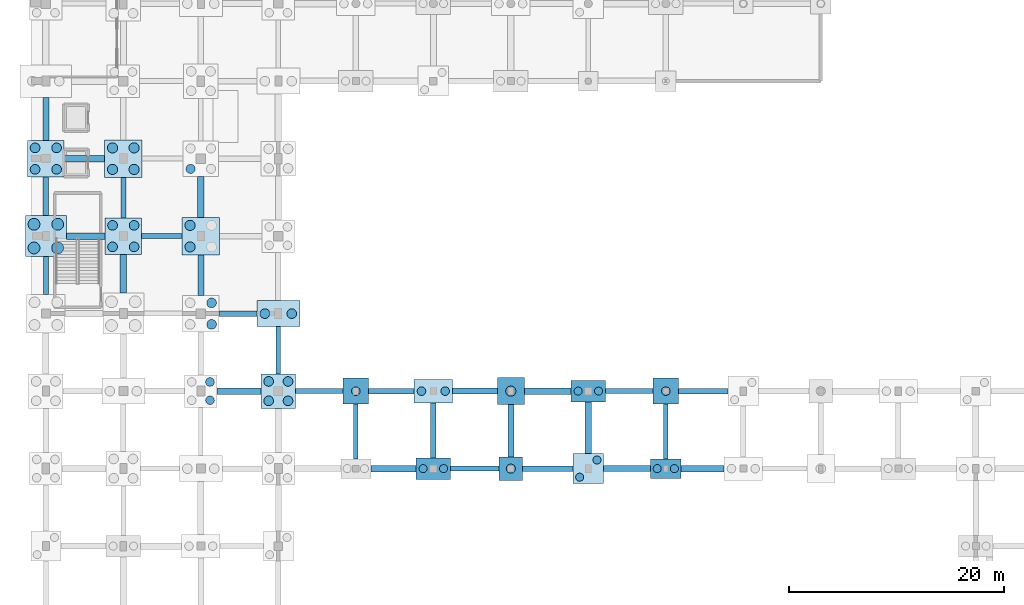
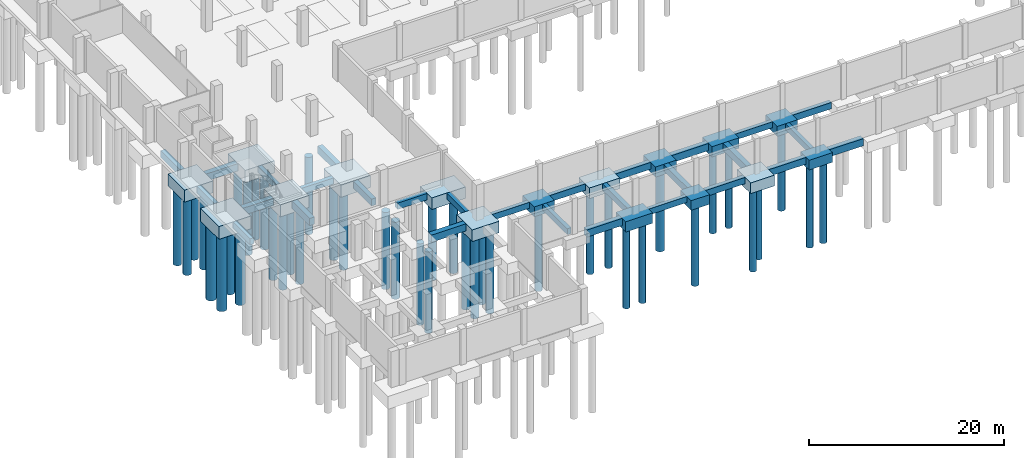
# One storey, part 2 of 35: 45 footings, 43 piles.
"""IFC4 building model written with IfcOpenShell, lengths in metres."""

from ifc_helpers import new_model, si_unit, direction, frame, origin, origin_2d, place, context, subcontext, project, spatial, rectangle, circle, extrude, material, material_profile, profile_set, type_object, element, save


model = new_model("IFC4")

# Units and contexts
model_context = context("Model", 3, precision=1e-05, world=origin(), true_north=direction((0.0, 1.0)))
body_context = subcontext(model_context, "Body", "Model", "MODEL_VIEW")
ifc_project = project(units=[si_unit("LENGTHUNIT", "METRE"), si_unit("AREAUNIT", "SQUARE_METRE"), si_unit("VOLUMEUNIT", "CUBIC_METRE"), si_unit("PLANEANGLEUNIT", "RADIAN"), si_unit("MASSUNIT", "GRAM", prefix="KILO")], contexts=[model_context])

# Site, building, storey
site_placement = place(None, origin())
site = spatial("IfcSite", under=ifc_project, at=site_placement, CompositionType="ELEMENT")
building_placement = place(site_placement, origin())
building = spatial("IfcBuilding", under=site, at=building_placement, Name="Kalluvel Institute of Natural Sciences", CompositionType="ELEMENT")
storey_placement = place(building_placement, frame((0.0, 0.0, -4.5)))
storey = spatial("IfcBuildingStorey", under=building, at=storey_placement, Name="B1", CompositionType="ELEMENT", Elevation=-4.5)

# Footings
ifc_material = material(Name="Concrete M40", Category="concrete")
footing_type_1 = type_object("IfcFootingType", Name="FB-450x750", PredefinedType="FOOTING_BEAM", material=ifc_material)
footing_1_placement = place(storey_placement, frame((53.85009765625, 28.39990234375, -0.75), z_axis=(0.0, 0.0, 1.0), x_axis=(1.0, 0.0, 0.0)))
element("IfcFooting", 1, at=footing_1_placement, inside=storey, type_object=footing_type_1, Name="Foundation tie beam GB-X-020", PredefinedType="FOOTING_BEAM", context=body_context, shape_type="SweptSolid", body=[
    extrude(rectangle(XDim=4.5, YDim=0.449951171875, at=origin_2d()), origin(), (0.0, 0.0, 1.0), 0.75),
])
for number, where, z_axis, x_axis, name in (
    (2, (39.39990234375, 35.60009765625, -0.75), (0.0, 0.0, 1.0), (1.0, 0.0, 0.0), "Foundation tie beam GB-X-032"),
    (3, (68.199951171875, 35.60009765625, -0.75), (0.0, 0.0, 1.0), (1.0, 0.0, 0.0), "Foundation tie beam GB-X-036"),
):
    element("IfcFooting", number, at=place(storey_placement, frame(where, z_axis=z_axis, x_axis=x_axis)), inside=storey, type_object=footing_type_1, Name=name, PredefinedType="FOOTING_BEAM", context=body_context, shape_type="SweptSolid", body=[
        extrude(rectangle(XDim=4.39990234375, YDim=0.449951171875, at=origin_2d()), origin(), (0.0, 0.0, 1.0), 0.75),
    ])
footing_2_placement = place(storey_placement, frame((24.77490234375, 50.0, -1.199951171875), z_axis=(0.0, 0.0, 1.0), x_axis=(1.0, 0.0, 0.0)))
element("IfcFooting", 4, at=footing_2_placement, inside=storey, type_object=footing_type_1, Name="Foundation tie beam GB-X-052", PredefinedType="FOOTING_BEAM", context=body_context, shape_type="SweptSolid", body=[
    extrude(rectangle(XDim=3.75, YDim=0.449951171875, at=origin_2d()), origin(), (0.0, 0.0, 1.0), 0.75),
])
footing_3_placement = place(storey_placement, frame((14.0, 46.35009765625, -1.199951171875), z_axis=(0.0, 0.0, 1.0), x_axis=(1.0, 0.0, 0.0)))
element("IfcFooting", 5, at=footing_3_placement, inside=storey, type_object=footing_type_1, Name="Foundation tie beam GB-Y-200", PredefinedType="FOOTING_BEAM", context=body_context, shape_type="SweptSolid", body=[
    extrude(rectangle(XDim=0.449951171875, YDim=3.5, at=origin_2d()), origin(), (0.0, 0.0, 1.0), 0.75),
])
footing_4_placement = place(storey_placement, frame((21.199951171875, 53.574951171875, -1.199951171875), z_axis=(0.0, 0.0, 1.0), x_axis=(1.0, 0.0, 0.0)))
element("IfcFooting", 6, at=footing_4_placement, inside=storey, type_object=footing_type_1, Name="Foundation tie beam GB-Y-216", PredefinedType="FOOTING_BEAM", context=body_context, shape_type="SweptSolid", body=[
    extrude(rectangle(XDim=0.449951171875, YDim=3.75, at=origin_2d()), origin(), (0.0, 0.0, 1.0), 0.75),
])
footing_5_placement = place(storey_placement, frame((35.60009765625, 39.39990234375, -1.199951171875), z_axis=(0.0, 0.0, 1.0), x_axis=(1.0, 0.0, 0.0)))
element("IfcFooting", 7, at=footing_5_placement, inside=storey, type_object=footing_type_1, Name="Foundation tie beam GB-Y-244", PredefinedType="FOOTING_BEAM", context=body_context, shape_type="SweptSolid", body=[
    extrude(rectangle(XDim=0.449951171875, YDim=4.39990234375, at=origin_2d()), origin(), (0.0, 0.0, 1.0), 0.75),
])
for number, where, z_axis, x_axis, name in (
    (8, (42.800048828125, 31.85009765625, -0.75), (0.0, 0.0, 1.0), (1.0, 0.0, 0.0), "Foundation tie beam GB-Y-256"),
    (9, (71.60009765625, 31.85009765625, -0.75), (0.0, 0.0, 1.0), (1.0, 0.0, 0.0), "Foundation tie beam GB-Y-292"),
):
    element("IfcFooting", number, at=place(storey_placement, frame(where, z_axis=z_axis, x_axis=x_axis)), inside=storey, type_object=footing_type_1, Name=name, PredefinedType="FOOTING_BEAM", context=body_context, shape_type="SweptSolid", body=[
        extrude(rectangle(XDim=0.449951171875, YDim=5.10009765625, at=origin_2d()), origin(), (0.0, 0.0, 1.0), 0.75),
    ])
footing_type_2 = type_object("IfcFootingType", Name="FB-500x800", PredefinedType="FOOTING_BEAM", material=ifc_material)
footing_6_placement = place(storey_placement, frame((60.64990234375, 28.39990234375, -0.7998046875), z_axis=(0.0, 0.0, 1.0), x_axis=(1.0, 0.0, 0.0)))
element("IfcFooting", 10, at=footing_6_placement, inside=storey, type_object=footing_type_2, Name="Foundation tie beam GB-X-021", PredefinedType="FOOTING_BEAM", context=body_context, shape_type="SweptSolid", body=[
    extrude(rectangle(XDim=4.699951171875, YDim=0.5, at=origin_2d()), origin(), (0.0, 0.0, 1.0), 0.800048828125),
])
footing_7_placement = place(storey_placement, frame((46.10009765625, 35.60009765625, -0.7998046875), z_axis=(0.0, 0.0, 1.0), x_axis=(1.0, 0.0, 0.0)))
element("IfcFooting", 11, at=footing_7_placement, inside=storey, type_object=footing_type_2, Name="Foundation tie beam GB-X-033", PredefinedType="FOOTING_BEAM", context=body_context, shape_type="SweptSolid", body=[
    extrude(rectangle(XDim=4.199951171875, YDim=0.5, at=origin_2d()), origin(), (0.0, 0.0, 1.0), 0.800048828125),
])
footing_8_placement = place(storey_placement, frame((75.10009765625, 35.60009765625, -0.7998046875), z_axis=(0.0, 0.0, 1.0), x_axis=(1.0, 0.0, 0.0)))
element("IfcFooting", 12, at=footing_8_placement, inside=storey, type_object=footing_type_2, Name="Foundation tie beam GB-X-037", PredefinedType="FOOTING_BEAM", context=body_context, shape_type="SweptSolid", body=[
    extrude(rectangle(XDim=4.60009765625, YDim=0.5, at=origin_2d()), origin(), (0.0, 0.0, 1.0), 0.800048828125),
])
footing_9_placement = place(storey_placement, frame((31.85009765625, 42.800048828125, -1.25), z_axis=(0.0, 0.0, 1.0), x_axis=(1.0, 0.0, 0.0)))
element("IfcFooting", 13, at=footing_9_placement, inside=storey, type_object=footing_type_2, Name="Foundation tie beam GB-X-049", PredefinedType="FOOTING_BEAM", context=body_context, shape_type="SweptSolid", body=[
    extrude(rectangle(XDim=3.5, YDim=0.5, at=origin_2d()), origin(), (0.0, 0.0, 1.0), 0.800048828125),
])
footing_10_placement = place(storey_placement, frame((14.0, 53.699951171875, -1.25), z_axis=(0.0, 0.0, 1.0), x_axis=(1.0, 0.0, 0.0)))
element("IfcFooting", 14, at=footing_10_placement, inside=storey, type_object=footing_type_2, Name="Foundation tie beam GB-Y-201", PredefinedType="FOOTING_BEAM", context=body_context, shape_type="SweptSolid", body=[
    extrude(rectangle(XDim=0.5, YDim=3.60009765625, at=origin_2d()), origin(), (0.0, 0.0, 1.0), 0.800048828125),
])
footing_11_placement = place(storey_placement, frame((50.0, 31.949951171875, -0.7998046875), z_axis=(0.0, 0.0, 1.0), x_axis=(1.0, 0.0, 0.0)))
element("IfcFooting", 15, at=footing_11_placement, inside=storey, type_object=footing_type_2, Name="Foundation tie beam GB-Y-265", PredefinedType="FOOTING_BEAM", context=body_context, shape_type="SweptSolid", body=[
    extrude(rectangle(XDim=0.5, YDim=5.10009765625, at=origin_2d()), origin(), (0.0, 0.0, 1.0), 0.800048828125),
])
footing_type_3 = type_object("IfcFootingType", Name="FB-550x850", PredefinedType="FOOTING_BEAM", material=ifc_material)
footing_12_placement = place(storey_placement, frame((68.0, 28.39990234375, -0.85009765625), z_axis=(0.0, 0.0, 1.0), x_axis=(1.0, 0.0, 0.0)))
element("IfcFooting", 16, at=footing_12_placement, inside=storey, type_object=footing_type_3, Name="Foundation tie beam GB-X-022", PredefinedType="FOOTING_BEAM", context=body_context, shape_type="SweptSolid", body=[
    extrude(rectangle(XDim=4.39990234375, YDim=0.550048828125, at=origin_2d()), origin(), (0.0, 0.0, 1.0), 0.85009765625),
])
footing_13_placement = place(storey_placement, frame((53.875, 35.60009765625, -0.85009765625), z_axis=(0.0, 0.0, 1.0), x_axis=(1.0, 0.0, 0.0)))
element("IfcFooting", 17, at=footing_13_placement, inside=storey, type_object=footing_type_3, Name="Foundation tie beam GB-X-034", PredefinedType="FOOTING_BEAM", context=body_context, shape_type="SweptSolid", body=[
    extrude(rectangle(XDim=4.14990234375, YDim=0.550048828125, at=origin_2d()), origin(), (0.0, 0.0, 1.0), 0.85009765625),
])
footing_14_placement = place(storey_placement, frame((14.0, 60.89990234375, -1.300048828125), z_axis=(0.0, 0.0, 1.0), x_axis=(1.0, 0.0, 0.0)))
element("IfcFooting", 18, at=footing_14_placement, inside=storey, type_object=footing_type_3, Name="Foundation tie beam GB-Y-202", PredefinedType="FOOTING_BEAM", context=body_context, shape_type="SweptSolid", body=[
    extrude(rectangle(XDim=0.550048828125, YDim=4.0, at=origin_2d()), origin(), (0.0, 0.0, 1.0), 0.85009765625),
])
footing_15_placement = place(storey_placement, frame((28.39990234375, 46.375, -1.300048828125), z_axis=(0.0, 0.0, 1.0), x_axis=(1.0, 0.0, 0.0)))
element("IfcFooting", 19, at=footing_15_placement, inside=storey, type_object=footing_type_3, Name="Foundation tie beam GB-Y-230", PredefinedType="FOOTING_BEAM", context=body_context, shape_type="SweptSolid", body=[
    extrude(rectangle(XDim=0.550048828125, YDim=3.75, at=origin_2d()), origin(), (0.0, 0.0, 1.0), 0.85009765625),
])
footing_16_placement = place(storey_placement, frame((57.199951171875, 31.925048828125, -0.85009765625), z_axis=(0.0, 0.0, 1.0), x_axis=(1.0, 0.0, 0.0)))
element("IfcFooting", 20, at=footing_16_placement, inside=storey, type_object=footing_type_3, Name="Foundation tie beam GB-Y-274", PredefinedType="FOOTING_BEAM", context=body_context, shape_type="SweptSolid", body=[
    extrude(rectangle(XDim=0.550048828125, YDim=4.85009765625, at=origin_2d()), origin(), (0.0, 0.0, 1.0), 0.85009765625),
])
footing_type_4 = type_object("IfcFootingType", Name="FB-600x900", PredefinedType="FOOTING_BEAM", material=ifc_material)
footing_17_placement = place(storey_placement, frame((46.300048828125, 28.39990234375, -0.89990234375), z_axis=(0.0, 0.0, 1.0), x_axis=(1.0, 0.0, 0.0)))
element("IfcFooting", 21, at=footing_17_placement, inside=storey, type_object=footing_type_4, Name="Foundation tie beam GB-X-019", PredefinedType="FOOTING_BEAM", context=body_context, shape_type="SweptSolid", body=[
    extrude(rectangle(XDim=4.199951171875, YDim=0.60009765625, at=origin_2d()), origin(), (0.0, 0.0, 1.0), 0.89990234375),
])
footing_18_placement = place(storey_placement, frame((75.0, 28.39990234375, -0.89990234375), z_axis=(0.0, 0.0, 1.0), x_axis=(1.0, 0.0, 0.0)))
element("IfcFooting", 22, at=footing_18_placement, inside=storey, type_object=footing_type_4, Name="Foundation tie beam GB-X-023", PredefinedType="FOOTING_BEAM", context=body_context, shape_type="SweptSolid", body=[
    extrude(rectangle(XDim=4.0, YDim=0.60009765625, at=origin_2d()), origin(), (0.0, 0.0, 1.0), 0.89990234375),
])
footing_19_placement = place(storey_placement, frame((31.949951171875, 35.60009765625, -0.89990234375), z_axis=(0.0, 0.0, 1.0), x_axis=(1.0, 0.0, 0.0)))
element("IfcFooting", 23, at=footing_19_placement, inside=storey, type_object=footing_type_4, Name="Foundation tie beam GB-X-031", PredefinedType="FOOTING_BEAM", context=body_context, shape_type="SweptSolid", body=[
    extrude(rectangle(XDim=4.10009765625, YDim=0.60009765625, at=origin_2d()), origin(), (0.0, 0.0, 1.0), 0.89990234375),
])
footing_20_placement = place(storey_placement, frame((60.625, 35.60009765625, -0.89990234375), z_axis=(0.0, 0.0, 1.0), x_axis=(1.0, 0.0, 0.0)))
element("IfcFooting", 24, at=footing_20_placement, inside=storey, type_object=footing_type_4, Name="Foundation tie beam GB-X-035", PredefinedType="FOOTING_BEAM", context=body_context, shape_type="SweptSolid", body=[
    extrude(rectangle(XDim=4.35009765625, YDim=0.60009765625, at=origin_2d()), origin(), (0.0, 0.0, 1.0), 0.89990234375),
])
footing_21_placement = place(storey_placement, frame((17.699951171875, 50.0, -1.349853515625), z_axis=(0.0, 0.0, 1.0), x_axis=(1.0, 0.0, 0.0)))
element("IfcFooting", 25, at=footing_21_placement, inside=storey, type_object=footing_type_4, Name="Foundation tie beam GB-X-051", PredefinedType="FOOTING_BEAM", context=body_context, shape_type="SweptSolid", body=[
    extrude(rectangle(XDim=3.60009765625, YDim=0.60009765625, at=origin_2d()), origin(), (0.0, 0.0, 1.0), 0.89990234375),
])
footing_22_placement = place(storey_placement, frame((17.574951171875, 57.199951171875, -1.349853515625), z_axis=(0.0, 0.0, 1.0), x_axis=(1.0, 0.0, 0.0)))
element("IfcFooting", 26, at=footing_22_placement, inside=storey, type_object=footing_type_4, Name="Foundation tie beam GB-X-055", PredefinedType="FOOTING_BEAM", context=body_context, shape_type="SweptSolid", body=[
    extrude(rectangle(XDim=3.75, YDim=0.60009765625, at=origin_2d()), origin(), (0.0, 0.0, 1.0), 0.89990234375),
])
footing_23_placement = place(storey_placement, frame((21.199951171875, 46.5, -1.349853515625), z_axis=(0.0, 0.0, 1.0), x_axis=(1.0, 0.0, 0.0)))
element("IfcFooting", 27, at=footing_23_placement, inside=storey, type_object=footing_type_4, Name="Foundation tie beam GB-Y-215", PredefinedType="FOOTING_BEAM", context=body_context, shape_type="SweptSolid", body=[
    extrude(rectangle(XDim=0.60009765625, YDim=3.60009765625, at=origin_2d()), origin(), (0.0, 0.0, 1.0), 0.89990234375),
])
footing_24_placement = place(storey_placement, frame((28.39990234375, 53.64990234375, -1.349853515625), z_axis=(0.0, 0.0, 1.0), x_axis=(1.0, 0.0, 0.0)))
element("IfcFooting", 28, at=footing_24_placement, inside=storey, type_object=footing_type_4, Name="Foundation tie beam GB-Y-231", PredefinedType="FOOTING_BEAM", context=body_context, shape_type="SweptSolid", body=[
    extrude(rectangle(XDim=0.60009765625, YDim=3.800048828125, at=origin_2d()), origin(), (0.0, 0.0, 1.0), 0.89990234375),
])
footing_25_placement = place(storey_placement, frame((64.39990234375, 32.199951171875, -0.89990234375), z_axis=(0.0, 0.0, 1.0), x_axis=(1.0, 0.0, 0.0)))
element("IfcFooting", 29, at=footing_25_placement, inside=storey, type_object=footing_type_4, Name="Foundation tie beam GB-Y-283", PredefinedType="FOOTING_BEAM", context=body_context, shape_type="SweptSolid", body=[
    extrude(rectangle(XDim=0.60009765625, YDim=4.800048828125, at=origin_2d()), origin(), (0.0, 0.0, 1.0), 0.89990234375),
])
footing_type_5 = type_object("IfcFootingType", Name="PC-2200x2200x1200", PredefinedType="PILE_CAP", material=ifc_material)
footing_26_placement = place(storey_placement, frame((57.199951171875, 28.39990234375, -1.2001953125), z_axis=(0.0, 0.0, 1.0), x_axis=(1.0, 0.0, 0.0)))
element("IfcFooting", 30, at=footing_26_placement, inside=storey, type_object=footing_type_5, Name="Pile cap CAP-087", PredefinedType="PILE_CAP", context=body_context, shape_type="SweptSolid", body=[
    extrude(rectangle(XDim=2.199951171875, YDim=2.199951171875, at=origin_2d()), origin(), (0.0, 0.0, 1.0), 1.199951171875),
])
footing_type_6 = type_object("IfcFootingType", Name="PC-2400x2400x1250", PredefinedType="PILE_CAP", material=ifc_material)
for number, where, z_axis, x_axis, name in (
    (31, (42.800048828125, 35.60009765625, -1.25), (0.0, 0.0, 1.0), (1.0, 0.0, 0.0), "Pile cap CAP-066"),
    (32, (71.60009765625, 35.60009765625, -1.25), (0.0, 0.0, 1.0), (1.0, 0.0, 0.0), "Pile cap CAP-110"),
):
    element("IfcFooting", number, at=place(storey_placement, frame(where, z_axis=z_axis, x_axis=x_axis)), inside=storey, type_object=footing_type_6, Name=name, PredefinedType="PILE_CAP", context=body_context, shape_type="SweptSolid", body=[
        extrude(rectangle(XDim=2.39990234375, YDim=2.39990234375, at=origin_2d()), origin(), (0.0, 0.0, 1.0), 1.25),
    ])
footing_type_7 = type_object("IfcFootingType", Name="PC-2500x2500x1280", PredefinedType="PILE_CAP", material=ifc_material)
footing_27_placement = place(storey_placement, frame((57.199951171875, 35.60009765625, -1.27978515625), z_axis=(0.0, 0.0, 1.0), x_axis=(1.0, 0.0, 0.0)))
element("IfcFooting", 33, at=footing_27_placement, inside=storey, type_object=footing_type_7, Name="Pile cap CAP-088", PredefinedType="PILE_CAP", context=body_context, shape_type="SweptSolid", body=[
    extrude(rectangle(XDim=2.5, YDim=2.5, at=origin_2d()), origin(), (0.0, 0.0, 1.0), 1.280029296875),
])
footing_type_8 = type_object("IfcFootingType", Name="PC-2800x1800x1200", PredefinedType="PILE_CAP", material=ifc_material)
footing_28_placement = place(storey_placement, frame((71.60009765625, 28.39990234375, -1.2001953125), z_axis=(0.0, 0.0, 1.0), x_axis=(1.0, 0.0, 0.0)))
element("IfcFooting", 34, at=footing_28_placement, inside=storey, type_object=footing_type_8, Name="Pile cap CAP-109", PredefinedType="PILE_CAP", context=body_context, shape_type="SweptSolid", body=[
    extrude(rectangle(XDim=2.800048828125, YDim=1.800048828125, at=origin_2d()), origin(), (0.0, 0.0, 1.0), 1.199951171875),
])
footing_type_9 = type_object("IfcFootingType", Name="PC-2800x2800x1350", PredefinedType="PILE_CAP", material=ifc_material)
footing_29_placement = place(storey_placement, frame((64.39990234375, 28.39990234375, -1.35009765625), z_axis=(0.0, 0.0, 1.0), x_axis=(1.0, 0.0, 0.0)))
element("IfcFooting", 35, at=footing_29_placement, inside=storey, type_object=footing_type_9, Name="Pile cap CAP-098", PredefinedType="PILE_CAP", context=body_context, shape_type="SweptSolid", body=[
    extrude(rectangle(XDim=2.800048828125, YDim=2.800048828125, at=origin_2d()), origin(), (0.0, 0.0, 1.0), 1.35009765625),
])
footing_type_10 = type_object("IfcFootingType", Name="PC-3200x2000x1300", PredefinedType="PILE_CAP", material=ifc_material)
for number, where, z_axis, x_axis, name in (
    (36, (50.0, 28.39990234375, -1.2998046875), (0.0, 0.0, 1.0), (1.0, 0.0, 0.0), "Pile cap CAP-076"),
    (37, (64.39990234375, 35.60009765625, -1.2998046875), (0.0, 0.0, 1.0), (1.0, 0.0, 0.0), "Pile cap CAP-099"),
):
    element("IfcFooting", number, at=place(storey_placement, frame(where, z_axis=z_axis, x_axis=x_axis)), inside=storey, type_object=footing_type_10, Name=name, PredefinedType="PILE_CAP", context=body_context, shape_type="SweptSolid", body=[
        extrude(rectangle(XDim=3.199951171875, YDim=2.0, at=origin_2d()), origin(), (0.0, 0.0, 1.0), 1.300048828125),
    ])
footing_type_11 = type_object("IfcFootingType", Name="PC-3200x3200x1450", PredefinedType="PILE_CAP", material=ifc_material)
footing_30_placement = place(storey_placement, frame((35.60009765625, 35.60009765625, -1.4501953125), z_axis=(0.0, 0.0, 1.0), x_axis=(1.0, 0.0, 0.0)))
element("IfcFooting", 38, at=footing_30_placement, inside=storey, type_object=footing_type_11, Name="Pile cap CAP-052", PredefinedType="PILE_CAP", context=body_context, shape_type="SweptSolid", body=[
    extrude(rectangle(XDim=3.199951171875, YDim=3.199951171875, at=origin_2d()), origin(), (0.0, 0.0, 1.0), 1.449951171875),
])
footing_type_12 = type_object("IfcFootingType", Name="PC-3400x3400x1500", PredefinedType="PILE_CAP", material=ifc_material)
for number, where, z_axis, x_axis, name in (
    (39, (14.0, 57.199951171875, -1.949951171875), (0.0, 0.0, 1.0), (1.0, 0.0, 0.0), "Pile cap CAP-007"),
    (40, (21.199951171875, 50.0, -1.949951171875), (0.0, 0.0, 1.0), (1.0, 0.0, 0.0), "Pile cap CAP-022"),
):
    element("IfcFooting", number, at=place(storey_placement, frame(where, z_axis=z_axis, x_axis=x_axis)), inside=storey, type_object=footing_type_12, Name=name, PredefinedType="PILE_CAP", context=body_context, shape_type="SweptSolid", body=[
        extrude(rectangle(XDim=3.39990234375, YDim=3.39990234375, at=origin_2d()), origin(), (0.0, 0.0, 1.0), 1.5),
    ])
footing_type_13 = type_object("IfcFootingType", Name="PC-3500x3500x1520", PredefinedType="PILE_CAP", material=ifc_material)
for number, where, z_axis, x_axis, name in (
    (41, (21.199951171875, 57.199951171875, -1.969970703125), (0.0, 0.0, 1.0), (1.0, 0.0, 0.0), "Pile cap CAP-023"),
    (42, (28.39990234375, 50.0, -1.969970703125), (0.0, 0.0, 1.0), (1.0, 0.0, 0.0), "Pile cap CAP-038"),
):
    element("IfcFooting", number, at=place(storey_placement, frame(where, z_axis=z_axis, x_axis=x_axis)), inside=storey, type_object=footing_type_13, Name=name, PredefinedType="PILE_CAP", context=body_context, shape_type="SweptSolid", body=[
        extrude(rectangle(XDim=3.5, YDim=3.5, at=origin_2d()), origin(), (0.0, 0.0, 1.0), 1.52001953125),
    ])
footing_type_14 = type_object("IfcFootingType", Name="PC-3600x2200x1350", PredefinedType="PILE_CAP", material=ifc_material)
footing_31_placement = place(storey_placement, frame((50.0, 35.60009765625, -1.35009765625), z_axis=(0.0, 0.0, 1.0), x_axis=(1.0, 0.0, 0.0)))
element("IfcFooting", 43, at=footing_31_placement, inside=storey, type_object=footing_type_14, Name="Pile cap CAP-077", PredefinedType="PILE_CAP", context=body_context, shape_type="SweptSolid", body=[
    extrude(rectangle(XDim=3.60009765625, YDim=2.199951171875, at=origin_2d()), origin(), (0.0, 0.0, 1.0), 1.35009765625),
])
footing_type_15 = type_object("IfcFootingType", Name="PC-3800x3800x1600", PredefinedType="PILE_CAP", material=ifc_material)
footing_32_placement = place(storey_placement, frame((14.0, 50.0, -2.050048828125), z_axis=(0.0, 0.0, 1.0), x_axis=(1.0, 0.0, 0.0)))
element("IfcFooting", 44, at=footing_32_placement, inside=storey, type_object=footing_type_15, Name="Pile cap CAP-006", PredefinedType="PILE_CAP", context=body_context, shape_type="SweptSolid", body=[
    extrude(rectangle(XDim=3.800048828125, YDim=3.800048828125, at=origin_2d()), origin(), (0.0, 0.0, 1.0), 1.60009765625),
])
footing_type_16 = type_object("IfcFootingType", Name="PC-4000x2400x1450", PredefinedType="PILE_CAP", material=ifc_material)
footing_33_placement = place(storey_placement, frame((35.60009765625, 42.800048828125, -1.89990234375), z_axis=(0.0, 0.0, 1.0), x_axis=(1.0, 0.0, 0.0)))
element("IfcFooting", 45, at=footing_33_placement, inside=storey, type_object=footing_type_16, Name="Pile cap CAP-053", PredefinedType="PILE_CAP", context=body_context, shape_type="SweptSolid", body=[
    extrude(rectangle(XDim=4.0, YDim=2.39990234375, at=origin_2d()), origin(), (0.0, 0.0, 1.0), 1.449951171875),
])

# Piles
ifc_material_profile_1 = material_profile(ifc_material, circle(Radius=0.550048828125, at=origin_2d()), Name="PILE D1100")
ifc_profile_set_1 = profile_set([ifc_material_profile_1], Name="Concrete M40")
pile_type_1 = type_object("IfcPileType", Name="PILE-D1100", PredefinedType="BORED", material=ifc_profile_set_1)
for number, where, z_axis, x_axis, name in (
    (46, (12.89990234375, 48.89990234375, -1.929931640625), (0.0, 0.0, -1.0), (1.0, 0.0, 0.0), "Bored rock-socketed pile PILE-X1290-Y4890"),
    (47, (15.10009765625, 48.89990234375, -1.929931640625), (0.0, 0.0, -1.0), (1.0, 0.0, 0.0), "Bored rock-socketed pile PILE-X1510-Y4890"),
    (48, (12.89990234375, 51.10009765625, -1.929931640625), (0.0, 0.0, -1.0), (1.0, 0.0, 0.0), "Bored rock-socketed pile PILE-X1290-Y5110"),
    (49, (15.10009765625, 51.10009765625, -1.929931640625), (0.0, 0.0, -1.0), (1.0, 0.0, 0.0), "Bored rock-socketed pile PILE-X1510-Y5110"),
):
    element("IfcPile", number, at=place(storey_placement, frame(where, z_axis=z_axis, x_axis=x_axis)), inside=storey, type_object=pile_type_1, Name=name, PredefinedType="BORED", context=body_context, shape_type="SweptSolid", body=[
        extrude(circle(Radius=0.550048828125, at=origin_2d()), origin(), (0.0, 0.0, 1.0), 9.570068359375),
    ])
ifc_material_profile_2 = material_profile(ifc_material, circle(Radius=0.375, at=origin_2d()), Name="PILE D750")
ifc_profile_set_2 = profile_set([ifc_material_profile_2], Name="Concrete M40")
pile_type_2 = type_object("IfcPileType", Name="PILE-D750", PredefinedType="BORED", material=ifc_profile_set_2)
for number, where, z_axis, x_axis, name in (
    (50, (49.050048828125, 28.39990234375, -1.179931640625), (0.0, 0.0, -1.0), (1.0, 0.0, 0.0), "Bored rock-socketed pile PILE-X4905-Y2840"),
    (51, (50.949951171875, 28.39990234375, -1.179931640625), (0.0, 0.0, -1.0), (1.0, 0.0, 0.0), "Bored rock-socketed pile PILE-X5095-Y2840"),
):
    element("IfcPile", number, at=place(storey_placement, frame(where, z_axis=z_axis, x_axis=x_axis)), inside=storey, type_object=pile_type_2, Name=name, PredefinedType="BORED", context=body_context, shape_type="SweptSolid", body=[
        extrude(circle(Radius=0.375, at=origin_2d()), origin(), (0.0, 0.0, 1.0), 10.320068359375),
    ])
for number, where, z_axis, x_axis, name in (
    (52, (63.60009765625, 27.60009765625, -1.22998046875), (0.0, 0.0, -1.0), (1.0, 0.0, 0.0), "Bored rock-socketed pile PILE-X6360-Y2760"),
    (53, (65.199951171875, 29.199951171875, -1.22998046875), (0.0, 0.0, -1.0), (1.0, 0.0, 0.0), "Bored rock-socketed pile PILE-X6520-Y2920"),
):
    element("IfcPile", number, at=place(storey_placement, frame(where, z_axis=z_axis, x_axis=x_axis)), inside=storey, type_object=pile_type_2, Name=name, PredefinedType="BORED", context=body_context, shape_type="SweptSolid", body=[
        extrude(circle(Radius=0.375, at=origin_2d()), origin(), (0.0, 0.0, 1.0), 10.27001953125),
    ])
for number, where, z_axis, x_axis, name in (
    (54, (63.449951171875, 35.60009765625, -1.179931640625), (0.0, 0.0, -1.0), (1.0, 0.0, 0.0), "Bored rock-socketed pile PILE-X6345-Y3560"),
    (55, (65.35009765625, 35.60009765625, -1.179931640625), (0.0, 0.0, -1.0), (1.0, 0.0, 0.0), "Bored rock-socketed pile PILE-X6535-Y3560"),
):
    element("IfcPile", number, at=place(storey_placement, frame(where, z_axis=z_axis, x_axis=x_axis)), inside=storey, type_object=pile_type_2, Name=name, PredefinedType="BORED", context=body_context, shape_type="SweptSolid", body=[
        extrude(circle(Radius=0.375, at=origin_2d()), origin(), (0.0, 0.0, 1.0), 10.320068359375),
    ])
for number, where, z_axis, x_axis, name in (
    (56, (70.800048828125, 28.39990234375, -1.080078125), (0.0, 0.0, -1.0), (1.0, 0.0, 0.0), "Bored rock-socketed pile PILE-X7080-Y2840"),
    (57, (72.39990234375, 28.39990234375, -1.080078125), (0.0, 0.0, -1.0), (1.0, 0.0, 0.0), "Bored rock-socketed pile PILE-X7240-Y2840"),
):
    element("IfcPile", number, at=place(storey_placement, frame(where, z_axis=z_axis, x_axis=x_axis)), inside=storey, type_object=pile_type_2, Name=name, PredefinedType="BORED", context=body_context, shape_type="SweptSolid", body=[
        extrude(circle(Radius=0.375, at=origin_2d()), origin(), (0.0, 0.0, 1.0), 10.419921875),
    ])
ifc_material_profile_3 = material_profile(ifc_material, circle(Radius=0.39990234375, at=origin_2d()), Name="PILE D800")
ifc_profile_set_3 = profile_set([ifc_material_profile_3], Name="Concrete M40")
pile_type_3 = type_object("IfcPileType", Name="PILE-D800", PredefinedType="BORED", material=ifc_profile_set_3)
for number, where, z_axis, x_axis, name in (
    (58, (29.25, 34.75, -1.280029296875), (0.0, 0.0, -1.0), (1.0, 0.0, 0.0), "Bored rock-socketed pile PILE-X2925-Y3475"),
    (59, (29.25, 36.449951171875, -1.280029296875), (0.0, 0.0, -1.0), (1.0, 0.0, 0.0), "Bored rock-socketed pile PILE-X2925-Y3645"),
):
    element("IfcPile", number, at=place(storey_placement, frame(where, z_axis=z_axis, x_axis=x_axis)), inside=storey, type_object=pile_type_3, Name=name, PredefinedType="BORED", context=body_context, shape_type="SweptSolid", body=[
        extrude(circle(Radius=0.39990234375, at=origin_2d()), origin(), (0.0, 0.0, 1.0), 10.219970703125),
    ])
pile_1_placement = place(storey_placement, frame((42.800048828125, 35.60009765625, -1.1298828125), z_axis=(0.0, 0.0, -1.0), x_axis=(1.0, 0.0, 0.0)))
element("IfcPile", 60, at=pile_1_placement, inside=storey, type_object=pile_type_3, Name="Bored rock-socketed pile PILE-X4280-Y3560", PredefinedType="BORED", context=body_context, shape_type="SweptSolid", body=[
    extrude(circle(Radius=0.39990234375, at=origin_2d()), origin(), (0.0, 0.0, 1.0), 10.3701171875),
])
for number, where, z_axis, x_axis, name in (
    (61, (48.89990234375, 35.60009765625, -1.22998046875), (0.0, 0.0, -1.0), (1.0, 0.0, 0.0), "Bored rock-socketed pile PILE-X4890-Y3560"),
    (62, (51.10009765625, 35.60009765625, -1.22998046875), (0.0, 0.0, -1.0), (1.0, 0.0, 0.0), "Bored rock-socketed pile PILE-X5110-Y3560"),
):
    element("IfcPile", number, at=place(storey_placement, frame(where, z_axis=z_axis, x_axis=x_axis)), inside=storey, type_object=pile_type_3, Name=name, PredefinedType="BORED", context=body_context, shape_type="SweptSolid", body=[
        extrude(circle(Radius=0.39990234375, at=origin_2d()), origin(), (0.0, 0.0, 1.0), 10.27001953125),
    ])
pile_2_placement = place(storey_placement, frame((71.60009765625, 35.60009765625, -1.1298828125), z_axis=(0.0, 0.0, -1.0), x_axis=(1.0, 0.0, 0.0)))
element("IfcPile", 63, at=pile_2_placement, inside=storey, type_object=pile_type_3, Name="Bored rock-socketed pile PILE-X7160-Y3560", PredefinedType="BORED", context=body_context, shape_type="SweptSolid", body=[
    extrude(circle(Radius=0.39990234375, at=origin_2d()), origin(), (0.0, 0.0, 1.0), 10.3701171875),
])
ifc_material_profile_4 = material_profile(ifc_material, circle(Radius=0.425048828125, at=origin_2d()), Name="PILE D850")
ifc_profile_set_4 = profile_set([ifc_material_profile_4], Name="Concrete M40")
pile_type_4 = type_object("IfcPileType", Name="PILE-D850", PredefinedType="BORED", material=ifc_profile_set_4)
pile_3_placement = place(storey_placement, frame((27.449951171875, 56.25, -1.81005859375), z_axis=(0.0, 0.0, -1.0), x_axis=(1.0, 0.0, 0.0)))
element("IfcPile", 64, at=pile_3_placement, inside=storey, type_object=pile_type_4, Name="Bored rock-socketed pile PILE-X2745-Y5625", PredefinedType="BORED", context=body_context, shape_type="SweptSolid", body=[
    extrude(circle(Radius=0.425048828125, at=origin_2d()), origin(), (0.0, 0.0, 1.0), 9.68994140625),
])
pile_4_placement = place(storey_placement, frame((57.199951171875, 28.39990234375, -1.080078125), z_axis=(0.0, 0.0, -1.0), x_axis=(1.0, 0.0, 0.0)))
element("IfcPile", 65, at=pile_4_placement, inside=storey, type_object=pile_type_4, Name="Bored rock-socketed pile PILE-X5720-Y2840", PredefinedType="BORED", context=body_context, shape_type="SweptSolid", body=[
    extrude(circle(Radius=0.425048828125, at=origin_2d()), origin(), (0.0, 0.0, 1.0), 10.419921875),
])
ifc_material_profile_5 = material_profile(ifc_material, circle(Radius=0.449951171875, at=origin_2d()), Name="PILE D900")
ifc_profile_set_5 = profile_set([ifc_material_profile_5], Name="Concrete M40")
pile_type_5 = type_object("IfcPileType", Name="PILE-D900", PredefinedType="BORED", material=ifc_profile_set_5)
for number, where, z_axis, x_axis, name in (
    (66, (13.0, 56.199951171875, -1.830078125), (0.0, 0.0, -1.0), (1.0, 0.0, 0.0), "Bored rock-socketed pile PILE-X1300-Y5620"),
    (67, (15.0, 56.199951171875, -1.830078125), (0.0, 0.0, -1.0), (1.0, 0.0, 0.0), "Bored rock-socketed pile PILE-X1500-Y5620"),
    (68, (13.0, 58.199951171875, -1.830078125), (0.0, 0.0, -1.0), (1.0, 0.0, 0.0), "Bored rock-socketed pile PILE-X1300-Y5820"),
    (69, (15.0, 58.199951171875, -1.830078125), (0.0, 0.0, -1.0), (1.0, 0.0, 0.0), "Bored rock-socketed pile PILE-X1500-Y5820"),
    (70, (20.199951171875, 49.0, -1.830078125), (0.0, 0.0, -1.0), (1.0, 0.0, 0.0), "Bored rock-socketed pile PILE-X2020-Y4900"),
    (71, (22.199951171875, 49.0, -1.830078125), (0.0, 0.0, -1.0), (1.0, 0.0, 0.0), "Bored rock-socketed pile PILE-X2220-Y4900"),
    (72, (20.199951171875, 51.0, -1.830078125), (0.0, 0.0, -1.0), (1.0, 0.0, 0.0), "Bored rock-socketed pile PILE-X2020-Y5100"),
    (73, (22.199951171875, 51.0, -1.830078125), (0.0, 0.0, -1.0), (1.0, 0.0, 0.0), "Bored rock-socketed pile PILE-X2220-Y5100"),
    (74, (29.39990234375, 41.800048828125, -1.830078125), (0.0, 0.0, -1.0), (1.0, 0.0, 0.0), "Bored rock-socketed pile PILE-X2940-Y4180"),
    (75, (29.39990234375, 43.800048828125, -1.830078125), (0.0, 0.0, -1.0), (1.0, 0.0, 0.0), "Bored rock-socketed pile PILE-X2940-Y4380"),
):
    element("IfcPile", number, at=place(storey_placement, frame(where, z_axis=z_axis, x_axis=x_axis)), inside=storey, type_object=pile_type_5, Name=name, PredefinedType="BORED", context=body_context, shape_type="SweptSolid", body=[
        extrude(circle(Radius=0.449951171875, at=origin_2d()), origin(), (0.0, 0.0, 1.0), 9.669921875),
    ])
for number, where, z_axis, x_axis, name in (
    (76, (34.699951171875, 34.699951171875, -1.330078125), (0.0, 0.0, -1.0), (1.0, 0.0, 0.0), "Bored rock-socketed pile PILE-X3470-Y3470"),
    (77, (36.5, 34.699951171875, -1.330078125), (0.0, 0.0, -1.0), (1.0, 0.0, 0.0), "Bored rock-socketed pile PILE-X3650-Y3470"),
    (78, (34.699951171875, 36.5, -1.330078125), (0.0, 0.0, -1.0), (1.0, 0.0, 0.0), "Bored rock-socketed pile PILE-X3470-Y3650"),
    (79, (36.5, 36.5, -1.330078125), (0.0, 0.0, -1.0), (1.0, 0.0, 0.0), "Bored rock-socketed pile PILE-X3650-Y3650"),
):
    element("IfcPile", number, at=place(storey_placement, frame(where, z_axis=z_axis, x_axis=x_axis)), inside=storey, type_object=pile_type_5, Name=name, PredefinedType="BORED", context=body_context, shape_type="SweptSolid", body=[
        extrude(circle(Radius=0.449951171875, at=origin_2d()), origin(), (0.0, 0.0, 1.0), 10.169921875),
    ])
for number, where, z_axis, x_axis, name in (
    (80, (34.35009765625, 42.800048828125, -1.780029296875), (0.0, 0.0, -1.0), (1.0, 0.0, 0.0), "Bored rock-socketed pile PILE-X3435-Y4280"),
    (81, (36.85009765625, 42.800048828125, -1.780029296875), (0.0, 0.0, -1.0), (1.0, 0.0, 0.0), "Bored rock-socketed pile PILE-X3685-Y4280"),
):
    element("IfcPile", number, at=place(storey_placement, frame(where, z_axis=z_axis, x_axis=x_axis)), inside=storey, type_object=pile_type_5, Name=name, PredefinedType="BORED", context=body_context, shape_type="SweptSolid", body=[
        extrude(circle(Radius=0.449951171875, at=origin_2d()), origin(), (0.0, 0.0, 1.0), 9.719970703125),
    ])
ifc_material_profile_6 = material_profile(ifc_material, circle(Radius=0.47509765625, at=origin_2d()), Name="PILE D950")
ifc_profile_set_6 = profile_set([ifc_material_profile_6], Name="Concrete M40")
pile_type_6 = type_object("IfcPileType", Name="PILE-D950", PredefinedType="BORED", material=ifc_profile_set_6)
for number, where, z_axis, x_axis, name in (
    (82, (20.199951171875, 56.199951171875, -1.85009765625), (0.0, 0.0, -1.0), (1.0, 0.0, 0.0), "Bored rock-socketed pile PILE-X2020-Y5620"),
    (83, (22.199951171875, 56.199951171875, -1.85009765625), (0.0, 0.0, -1.0), (1.0, 0.0, 0.0), "Bored rock-socketed pile PILE-X2220-Y5620"),
    (84, (20.199951171875, 58.199951171875, -1.85009765625), (0.0, 0.0, -1.0), (1.0, 0.0, 0.0), "Bored rock-socketed pile PILE-X2020-Y5820"),
    (85, (22.199951171875, 58.199951171875, -1.85009765625), (0.0, 0.0, -1.0), (1.0, 0.0, 0.0), "Bored rock-socketed pile PILE-X2220-Y5820"),
    (86, (27.39990234375, 49.0, -1.85009765625), (0.0, 0.0, -1.0), (1.0, 0.0, 0.0), "Bored rock-socketed pile PILE-X2740-Y4900"),
    (87, (27.39990234375, 51.0, -1.85009765625), (0.0, 0.0, -1.0), (1.0, 0.0, 0.0), "Bored rock-socketed pile PILE-X2740-Y5100"),
):
    element("IfcPile", number, at=place(storey_placement, frame(where, z_axis=z_axis, x_axis=x_axis)), inside=storey, type_object=pile_type_6, Name=name, PredefinedType="BORED", context=body_context, shape_type="SweptSolid", body=[
        extrude(circle(Radius=0.47509765625, at=origin_2d()), origin(), (0.0, 0.0, 1.0), 9.64990234375),
    ])
pile_5_placement = place(storey_placement, frame((57.199951171875, 35.60009765625, -1.159912109375), z_axis=(0.0, 0.0, -1.0), x_axis=(1.0, 0.0, 0.0)))
element("IfcPile", 88, at=pile_5_placement, inside=storey, type_object=pile_type_6, Name="Bored rock-socketed pile PILE-X5720-Y3560", PredefinedType="BORED", context=body_context, shape_type="SweptSolid", body=[
    extrude(circle(Radius=0.47509765625, at=origin_2d()), origin(), (0.0, 0.0, 1.0), 10.340087890625),
])

save(model, "model.ifc")
